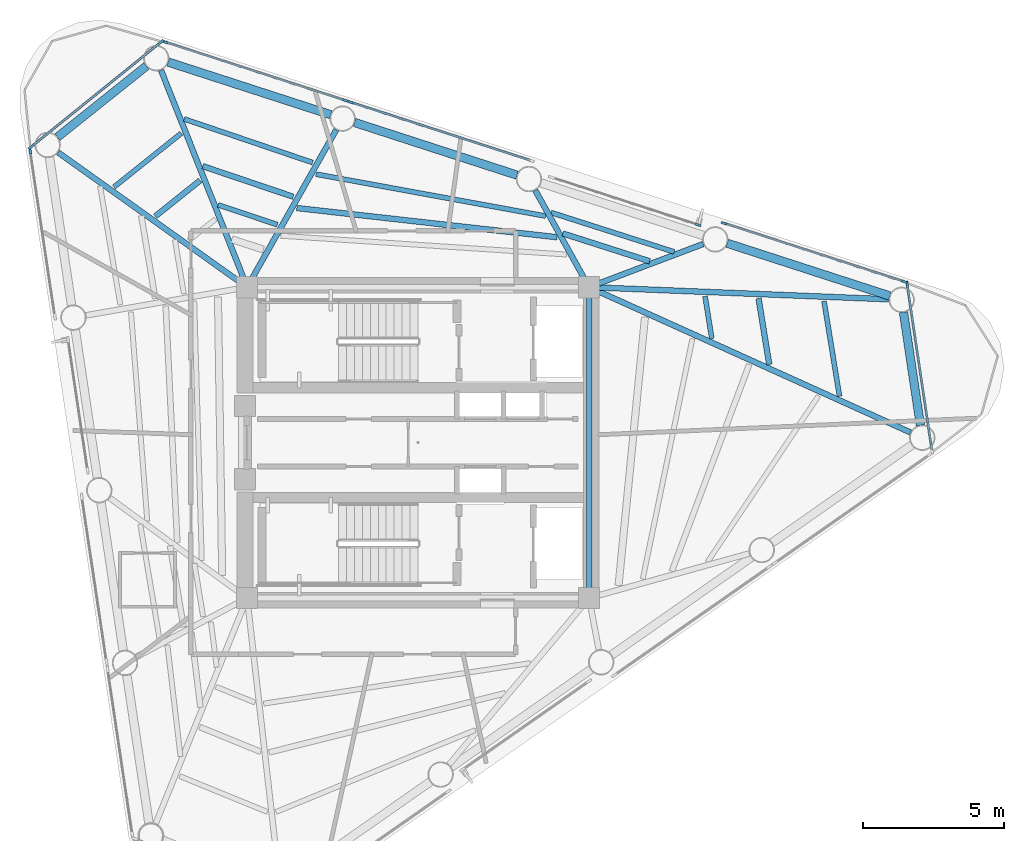
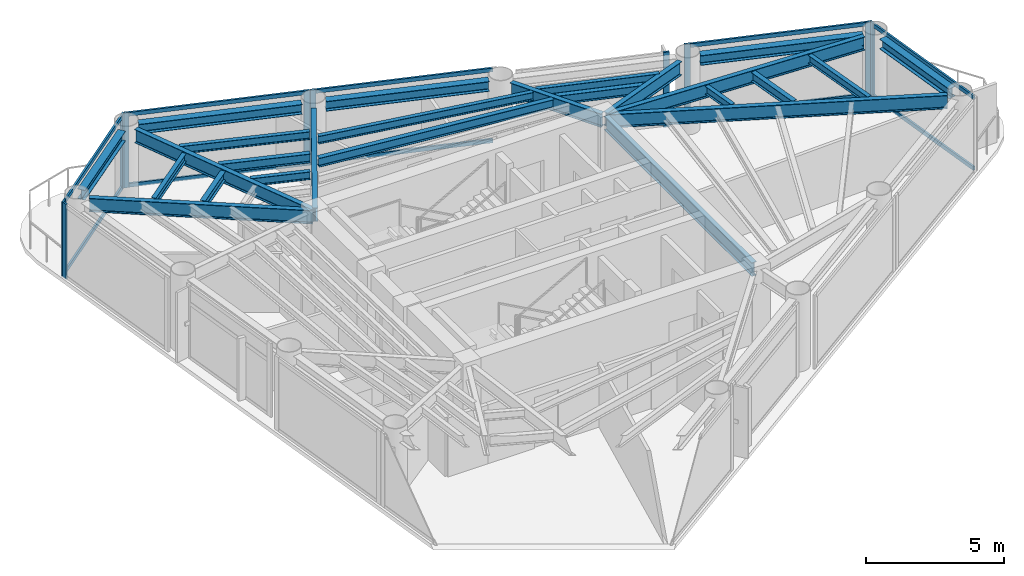
# One storey, part 3 of 9: 25 beams, 20 members, 7 elements without a shape of their own.
"""IFC4 building model written with IfcOpenShell, lengths in metres."""

from ifc_helpers import new_model, si_unit, direction, frame, origin, origin_2d, place, context, subcontext, project, spatial, rectangle, i_section, extrude, source, transform, mapped, material, layer, layer_set, material_profile, profile_set, type_object, element, aggregate, save


model = new_model("IFC4")

# Units and contexts
model_context = context("Model", 3, precision=1e-05, world=origin(), true_north=direction((0.0, 1.0)))
body_context = subcontext(model_context, "Body", "Model", "MODEL_VIEW")
ifc_project = project(units=[si_unit("LENGTHUNIT", "METRE"), si_unit("AREAUNIT", "SQUARE_METRE"), si_unit("VOLUMEUNIT", "CUBIC_METRE"), si_unit("PLANEANGLEUNIT", "RADIAN"), si_unit("MASSUNIT", "GRAM", prefix="KILO")], contexts=[model_context])

# Site, building, storey
site_placement = place(None, origin())
site = spatial("IfcSite", under=ifc_project, at=site_placement, CompositionType="ELEMENT")
building_placement = place(site_placement, origin())
building = spatial("IfcBuilding", under=site, at=building_placement, Name="Yunling Apex Tower", CompositionType="ELEMENT")
storey_placement = place(building_placement, frame((0.0, 0.0, 260.949951171875)))
storey = spatial("IfcBuildingStorey", under=building, at=storey_placement, Name="L63", CompositionType="ELEMENT", Elevation=260.949951171875)

# Beams
ifc_material_1 = material(Name="Steel Q355B", Category="steel")
ifc_material_profile_1 = material_profile(ifc_material_1, i_section(OverallWidth=0.199951171875, OverallDepth=0.60009765625, WebThickness=0.010986328125, FlangeThickness=0.01708984375, FilletRadius=0.02197265625, at=origin_2d()))
ifc_profile_set_1 = profile_set([ifc_material_profile_1], Name="Steel Q355B")
beam_type_1 = type_object("IfcBeamType", Name="BG-PRI-5", PredefinedType="USERDEFINED", material=ifc_profile_set_1)
shared_shape_1 = source(origin(), body_context, "Body", "SweptSolid", [
    extrude(i_section(OverallWidth=0.199951171875, OverallDepth=0.60009765625, WebThickness=0.010986328125, FlangeThickness=0.01708984375, FilletRadius=0.02197265625, at=origin_2d()), origin(), (0.0, 0.0, 1.0), 10.7001953125),
])
beam_1_placement = place(storey_placement, frame((6.050048828125, -5.35009765625, 2.920166015625), z_axis=(0.0, 1.0, 0.0), x_axis=(-1.0, 0.0, 0.0)))
element("IfcBeam", 1, at=beam_1_placement, inside=storey, type_object=beam_type_1, Name="L63 Core Ring Tie Beam 2", ObjectType="GIRDER", PredefinedType="USERDEFINED", context=body_context, shape_type="MappedRepresentation", body=[
    mapped(shared_shape_1, transform((0.0, 0.0, 0.0), scale=1.0)),
])
ifc_material_profile_2 = material_profile(ifc_material_1, i_section(OverallWidth=0.300048828125, OverallDepth=0.43994140625, WebThickness=0.010986328125, FlangeThickness=0.01806640625, FilletRadius=0.02197265625, at=origin_2d()))
ifc_profile_set_2 = profile_set([ifc_material_profile_2], Name="Steel Q355B")
beam_type_2 = type_object("IfcBeamType", Name="BP-SPN-3", PredefinedType="SPANDREL", material=ifc_profile_set_2)
shared_shape_2 = source(origin(), body_context, "Body", "SweptSolid", [
    extrude(i_section(OverallWidth=0.300048828125, OverallDepth=0.43994140625, WebThickness=0.010986328125, FlangeThickness=0.01806640625, FilletRadius=0.02197265625, at=origin_2d()), origin(), (0.0, 0.0, 1.0), 6.043701171875),
])
for number, where, z_axis, x_axis, name in (
    (2, (16.687744140625, 5.189208984375, 3.0), (-0.951260618597, 0.308388124782, 0.0), (-0.308388124782, -0.951260618597, 0.0), "L63 Perimeter Spandrel Beam 6"),
    (3, (3.5, 9.464111328125, 3.0), (-0.951264460229, 0.30837627455, 0.0), (-0.30837627455, -0.951264460229, 0.0), "L63 Perimeter Spandrel Beam 8"),
    (4, (-3.093994140625, 11.601806640625, 3.0), (-0.951276309474, 0.308339720167, 0.0), (-0.308339720167, -0.951276309474, 0.0), "L63 Perimeter Spandrel Beam 9"),
):
    element("IfcBeam", number, at=place(storey_placement, frame(where, z_axis=z_axis, x_axis=x_axis)), inside=storey, type_object=beam_type_2, Name=name, PredefinedType="SPANDREL", context=body_context, shape_type="MappedRepresentation", body=[
        mapped(shared_shape_2, transform((0.0, 0.0, 0.0), scale=1.0)),
    ])
shared_shape_3 = source(origin(), body_context, "Body", "SweptSolid", [
    extrude(i_section(OverallWidth=0.300048828125, OverallDepth=0.43994140625, WebThickness=0.010986328125, FlangeThickness=0.01806640625, FilletRadius=0.02197265625, at=origin_2d()), origin(), (0.0, 0.0, 1.0), 4.047607421875),
])
beam_2_placement = place(storey_placement, frame((17.774169921875, 0.610107421875, 3.0), z_axis=(-0.147836074483, 0.98901187813, 0.0), x_axis=(-0.98901187813, -0.147836074483, 0.0)))
element("IfcBeam", 5, at=beam_2_placement, inside=storey, type_object=beam_type_2, Name="L63 Perimeter Spandrel Beam 5", PredefinedType="SPANDREL", context=body_context, shape_type="MappedRepresentation", body=[
    mapped(shared_shape_3, transform((0.0, 0.0, 0.0), scale=1.0)),
])
shared_shape_4 = source(origin(), body_context, "Body", "SweptSolid", [
    extrude(i_section(OverallWidth=0.300048828125, OverallDepth=0.43994140625, WebThickness=0.010986328125, FlangeThickness=0.01806640625, FilletRadius=0.02197265625, at=origin_2d()), origin(), (0.0, 0.0, 1.0), 4.03125),
])
beam_3_placement = place(storey_placement, frame((-9.612548828125, 13.3251953125, 3.0), z_axis=(-0.781412081213, -0.624015351842, 0.0), x_axis=(0.624015351842, -0.781412081213, 0.0)))
element("IfcBeam", 6, at=beam_3_placement, inside=storey, type_object=beam_type_2, Name="L63 Perimeter Spandrel Beam 10", PredefinedType="SPANDREL", context=body_context, shape_type="MappedRepresentation", body=[
    mapped(shared_shape_4, transform((0.0, 0.0, 0.0), scale=1.0)),
])
shared_shape_5 = source(origin(), body_context, "Body", "SweptSolid", [
    extrude(i_section(OverallWidth=0.199951171875, OverallDepth=0.60009765625, WebThickness=0.010986328125, FlangeThickness=0.01708984375, FilletRadius=0.02197265625, at=origin_2d()), origin(), (0.0, 0.0, 1.0), 12.400146484375),
])
beam_4_placement = place(storey_placement, frame((17.42236328125, 0.359619140625, 2.920166015625), z_axis=(-0.911237617223, 0.411881056809, 0.0), x_axis=(-0.411881056809, -0.911237617223, 0.0)))
element("IfcBeam", 7, at=beam_4_placement, inside=storey, type_object=beam_type_1, Name="L63 Radial Primary Girder R05", ObjectType="GIRDER", PredefinedType="USERDEFINED", context=body_context, shape_type="MappedRepresentation", body=[
    mapped(shared_shape_5, transform((0.0, 0.0, 0.0), scale=1.0)),
])
shared_shape_6 = source(origin(), body_context, "Body", "SweptSolid", [
    extrude(i_section(OverallWidth=0.199951171875, OverallDepth=0.60009765625, WebThickness=0.010986328125, FlangeThickness=0.01708984375, FilletRadius=0.02197265625, at=origin_2d()), origin(), (0.0, 0.0, 1.0), 10.53125),
])
beam_5_placement = place(storey_placement, frame((16.652587890625, 5.07080078125, 2.920166015625), z_axis=(-0.99918143594, 0.040453158992, 0.0), x_axis=(-0.040453158992, -0.99918143594, 0.0)))
element("IfcBeam", 8, at=beam_5_placement, inside=storey, type_object=beam_type_1, Name="L63 Radial Primary Girder R06", ObjectType="GIRDER", PredefinedType="USERDEFINED", context=body_context, shape_type="MappedRepresentation", body=[
    mapped(shared_shape_6, transform((0.0, 0.0, 0.0), scale=1.0)),
])
shared_shape_7 = source(origin(), body_context, "Body", "SweptSolid", [
    extrude(i_section(OverallWidth=0.199951171875, OverallDepth=0.60009765625, WebThickness=0.010986328125, FlangeThickness=0.01708984375, FilletRadius=0.02197265625, at=origin_2d()), origin(), (0.0, 0.0, 1.0), 4.2373046875),
])
beam_6_placement = place(storey_placement, frame((10.087890625, 7.02783203125, 2.920166015625), z_axis=(-0.935290380754, -0.353881199938, 0.0), x_axis=(0.353881199938, -0.935290380754, 0.0)))
element("IfcBeam", 9, at=beam_6_placement, inside=storey, type_object=beam_type_1, Name="L63 Radial Primary Girder R07", ObjectType="GIRDER", PredefinedType="USERDEFINED", context=body_context, shape_type="MappedRepresentation", body=[
    mapped(shared_shape_7, transform((0.0, 0.0, 0.0), scale=1.0)),
])
shared_shape_8 = source(origin(), body_context, "Body", "SweptSolid", [
    extrude(i_section(OverallWidth=0.199951171875, OverallDepth=0.60009765625, WebThickness=0.010986328125, FlangeThickness=0.01708984375, FilletRadius=0.02197265625, at=origin_2d()), origin(), (0.0, 0.0, 1.0), 3.841064453125),
])
beam_7_placement = place(storey_placement, frame((4.144775390625, 8.927001953125, 2.920166015625), z_axis=(0.485864181632, -0.874034322557, 0.0), x_axis=(0.874034322557, 0.485864181632, 0.0)))
element("IfcBeam", 10, at=beam_7_placement, inside=storey, type_object=beam_type_1, Name="L63 Radial Primary Girder R08", ObjectType="GIRDER", PredefinedType="USERDEFINED", context=body_context, shape_type="MappedRepresentation", body=[
    mapped(shared_shape_8, transform((0.0, 0.0, 0.0), scale=1.0)),
])
shared_shape_9 = source(origin(), body_context, "Body", "SweptSolid", [
    extrude(i_section(OverallWidth=0.199951171875, OverallDepth=0.60009765625, WebThickness=0.010986328125, FlangeThickness=0.01708984375, FilletRadius=0.02197265625, at=origin_2d()), origin(), (0.0, 0.0, 1.0), 6.317138671875),
])
beam_8_placement = place(storey_placement, frame((-2.8974609375, 11.06640625, 2.920166015625), z_axis=(-0.492793153417, -0.870146486487, 0.0), x_axis=(0.870146486487, -0.492793153417, 0.0)))
element("IfcBeam", 11, at=beam_8_placement, inside=storey, type_object=beam_type_1, Name="L63 Radial Primary Girder R09", ObjectType="GIRDER", PredefinedType="USERDEFINED", context=body_context, shape_type="MappedRepresentation", body=[
    mapped(shared_shape_9, transform((0.0, 0.0, 0.0), scale=1.0)),
])
shared_shape_10 = source(origin(), body_context, "Body", "SweptSolid", [
    extrude(i_section(OverallWidth=0.199951171875, OverallDepth=0.60009765625, WebThickness=0.010986328125, FlangeThickness=0.01708984375, FilletRadius=0.02197265625, at=origin_2d()), origin(), (0.0, 0.0, 1.0), 8.178955078125),
])
beam_9_placement = place(storey_placement, frame((-9.0966796875, 13.176513671875, 2.920166015625), z_axis=(0.368888092437, -0.929473816338, 0.0), x_axis=(0.929473816338, 0.368888092437, 0.0)))
element("IfcBeam", 12, at=beam_9_placement, inside=storey, type_object=beam_type_1, Name="L63 Radial Primary Girder R10", ObjectType="GIRDER", PredefinedType="USERDEFINED", context=body_context, shape_type="MappedRepresentation", body=[
    mapped(shared_shape_10, transform((0.0, 0.0, 0.0), scale=1.0)),
])
shared_shape_11 = source(origin(), body_context, "Body", "SweptSolid", [
    extrude(i_section(OverallWidth=0.199951171875, OverallDepth=0.60009765625, WebThickness=0.010986328125, FlangeThickness=0.01708984375, FilletRadius=0.02197265625, at=origin_2d()), origin(), (0.0, 0.0, 1.0), 8.132080078125),
])
beam_10_placement = place(storey_placement, frame((-12.73681640625, 10.2666015625, 2.920166015625), z_axis=(0.814294994921, -0.580451256564, 0.0), x_axis=(0.580451256564, 0.814294994921, 0.0)))
element("IfcBeam", 13, at=beam_10_placement, inside=storey, type_object=beam_type_1, Name="L63 Radial Primary Girder R11", ObjectType="GIRDER", PredefinedType="USERDEFINED", context=body_context, shape_type="MappedRepresentation", body=[
    mapped(shared_shape_11, transform((0.0, 0.0, 0.0), scale=1.0)),
])
ifc_material_profile_3 = material_profile(ifc_material_1, i_section(OverallWidth=0.199951171875, OverallDepth=0.39990234375, WebThickness=0.008056640625, FlangeThickness=0.012939453125, FilletRadius=0.01611328125, at=origin_2d()))
ifc_profile_set_3 = profile_set([ifc_material_profile_3], Name="Steel Q355B")
beam_type_3 = type_object("IfcBeamType", Name="BS-SEC-4", PredefinedType="BEAM", material=ifc_profile_set_3)
shared_shape_12 = source(origin(), body_context, "Body", "SweptSolid", [
    extrude(i_section(OverallWidth=0.199951171875, OverallDepth=0.39990234375, WebThickness=0.008056640625, FlangeThickness=0.012939453125, FilletRadius=0.01611328125, at=origin_2d()), origin(), (0.0, 0.0, 1.0), 2.36572265625),
])
beam_11_placement = place(storey_placement, frame((12.425048828125, 2.764892578125, 3.02001953125), z_axis=(-0.159342756426, 0.987223321227, 0.0), x_axis=(-0.987223321227, -0.159342756426, 0.0)))
element("IfcBeam", 14, at=beam_11_placement, inside=storey, type_object=beam_type_3, Name="L63 Composite Floor Beam BS-5", PredefinedType="BEAM", context=body_context, shape_type="MappedRepresentation", body=[
    mapped(shared_shape_12, transform((0.0, 0.0, 0.0), scale=1.0)),
])
ifc_material_profile_4 = material_profile(ifc_material_1, i_section(OverallWidth=0.175048828125, OverallDepth=0.35009765625, WebThickness=0.007080078125, FlangeThickness=0.010986328125, FilletRadius=0.013916015625, at=origin_2d()))
ifc_profile_set_4 = profile_set([ifc_material_profile_4], Name="Steel Q355B")
beam_type_4 = type_object("IfcBeamType", Name="BJ-JST-1", PredefinedType="JOIST", material=ifc_profile_set_4)
shared_shape_13 = source(origin(), body_context, "Body", "SweptSolid", [
    extrude(i_section(OverallWidth=0.175048828125, OverallDepth=0.35009765625, WebThickness=0.007080078125, FlangeThickness=0.010986328125, FilletRadius=0.013916015625, at=origin_2d()), origin(), (0.0, 0.0, 1.0), 3.40966796875),
])
beam_12_placement = place(storey_placement, frame((14.910888671875, 1.64111328125, 3.045166015625), z_axis=(-0.160600982695, 0.987019414377, 0.0), x_axis=(-0.987019414377, -0.160600982695, 0.0)))
element("IfcBeam", 15, at=beam_12_placement, inside=storey, type_object=beam_type_4, Name="L63 Composite Floor Joist BJ1-5", PredefinedType="JOIST", context=body_context, shape_type="MappedRepresentation", body=[
    mapped(shared_shape_13, transform((0.0, 0.0, 0.0), scale=1.0)),
])
shared_shape_14 = source(origin(), body_context, "Body", "SweptSolid", [
    extrude(i_section(OverallWidth=0.175048828125, OverallDepth=0.35009765625, WebThickness=0.007080078125, FlangeThickness=0.010986328125, FilletRadius=0.013916015625, at=origin_2d()), origin(), (0.0, 0.0, 1.0), 1.51171875),
])
beam_13_placement = place(storey_placement, frame((10.3916015625, 3.68408203125, 3.045166015625), z_axis=(-0.157297614413, 0.987551244493, 0.0), x_axis=(-0.987551244493, -0.157297614413, 0.0)))
element("IfcBeam", 16, at=beam_13_placement, inside=storey, type_object=beam_type_4, Name="L63 Composite Floor Joist BJ3-5", PredefinedType="JOIST", context=body_context, shape_type="MappedRepresentation", body=[
    mapped(shared_shape_14, transform((0.0, 0.0, 0.0), scale=1.0)),
])
shared_shape_15 = source(origin(), body_context, "Body", "SweptSolid", [
    extrude(i_section(OverallWidth=0.199951171875, OverallDepth=0.39990234375, WebThickness=0.008056640625, FlangeThickness=0.012939453125, FilletRadius=0.01611328125, at=origin_2d()), origin(), (0.0, 0.0, 1.0), 3.22705078125),
])
beam_14_placement = place(storey_placement, frame((8.191650390625, 6.416748046875, 3.02001953125), z_axis=(-0.952339781695, 0.305039243708, 0.0), x_axis=(-0.305039243708, -0.952339781695, 0.0)))
element("IfcBeam", 17, at=beam_14_placement, inside=storey, type_object=beam_type_3, Name="L63 Composite Floor Beam BS-7", PredefinedType="BEAM", context=body_context, shape_type="MappedRepresentation", body=[
    mapped(shared_shape_15, transform((0.0, 0.0, 0.0), scale=1.0)),
])
shared_shape_16 = source(origin(), body_context, "Body", "SweptSolid", [
    extrude(i_section(OverallWidth=0.175048828125, OverallDepth=0.35009765625, WebThickness=0.007080078125, FlangeThickness=0.010986328125, FilletRadius=0.013916015625, at=origin_2d()), origin(), (0.0, 0.0, 1.0), 4.572998046875),
])
beam_15_placement = place(storey_placement, frame((9.0634765625, 6.74658203125, 3.045166015625), z_axis=(-0.952472485452, 0.304624628776, 0.0), x_axis=(-0.304624628776, -0.952472485452, 0.0)))
element("IfcBeam", 18, at=beam_15_placement, inside=storey, type_object=beam_type_4, Name="L63 Composite Floor Joist BJ1-7", PredefinedType="JOIST", context=body_context, shape_type="MappedRepresentation", body=[
    mapped(shared_shape_16, transform((0.0, 0.0, 0.0), scale=1.0)),
])
shared_shape_17 = source(origin(), body_context, "Body", "SweptSolid", [
    extrude(i_section(OverallWidth=0.199951171875, OverallDepth=0.39990234375, WebThickness=0.008056640625, FlangeThickness=0.012939453125, FilletRadius=0.01611328125, at=origin_2d()), origin(), (0.0, 0.0, 1.0), 9.271728515625),
])
beam_16_placement = place(storey_placement, frame((4.9189453125, 7.266357421875, 3.02001953125), z_axis=(-0.993765641634, 0.111489234941, 0.0), x_axis=(-0.111489234941, -0.993765641634, 0.0)))
element("IfcBeam", 19, at=beam_16_placement, inside=storey, type_object=beam_type_3, Name="L63 Composite Floor Beam BS-8", PredefinedType="BEAM", context=body_context, shape_type="MappedRepresentation", body=[
    mapped(shared_shape_17, transform((0.0, 0.0, 0.0), scale=1.0)),
])
shared_shape_18 = source(origin(), body_context, "Body", "SweptSolid", [
    extrude(i_section(OverallWidth=0.175048828125, OverallDepth=0.35009765625, WebThickness=0.007080078125, FlangeThickness=0.010986328125, FilletRadius=0.013916015625, at=origin_2d()), origin(), (0.0, 0.0, 1.0), 8.256103515625),
])
beam_17_placement = place(storey_placement, frame((4.510009765625, 8.015625, 3.045166015625), z_axis=(-0.983737162393, 0.179614017626, 0.0), x_axis=(-0.179614017626, -0.983737162393, 0.0)))
element("IfcBeam", 20, at=beam_17_placement, inside=storey, type_object=beam_type_4, Name="L63 Composite Floor Joist BJ1-8", PredefinedType="JOIST", context=body_context, shape_type="MappedRepresentation", body=[
    mapped(shared_shape_18, transform((0.0, 0.0, 0.0), scale=1.0)),
])
shared_shape_19 = source(origin(), body_context, "Body", "SweptSolid", [
    extrude(i_section(OverallWidth=0.199951171875, OverallDepth=0.39990234375, WebThickness=0.008056640625, FlangeThickness=0.012939453125, FilletRadius=0.01611328125, at=origin_2d()), origin(), (0.0, 0.0, 1.0), 3.37646484375),
])
beam_18_placement = place(storey_placement, frame((-4.418701171875, 8.698974609375, 3.02001953125), z_axis=(-0.947337172377, 0.320237851966, 0.0), x_axis=(-0.320237851966, -0.947337172377, 0.0)))
element("IfcBeam", 21, at=beam_18_placement, inside=storey, type_object=beam_type_3, Name="L63 Composite Floor Beam BS-9", PredefinedType="BEAM", context=body_context, shape_type="MappedRepresentation", body=[
    mapped(shared_shape_19, transform((0.0, 0.0, 0.0), scale=1.0)),
])
shared_shape_20 = source(origin(), body_context, "Body", "SweptSolid", [
    extrude(i_section(OverallWidth=0.175048828125, OverallDepth=0.35009765625, WebThickness=0.007080078125, FlangeThickness=0.010986328125, FilletRadius=0.013916015625, at=origin_2d()), origin(), (0.0, 0.0, 1.0), 4.802490234375),
])
beam_19_placement = place(storey_placement, frame((-3.73388671875, 9.908447265625, 3.045166015625), z_axis=(-0.946894147211, 0.32154544621, 0.0), x_axis=(-0.32154544621, -0.946894147211, 0.0)))
element("IfcBeam", 22, at=beam_19_placement, inside=storey, type_object=beam_type_4, Name="L63 Composite Floor Joist BJ1-9", PredefinedType="JOIST", context=body_context, shape_type="MappedRepresentation", body=[
    mapped(shared_shape_20, transform((0.0, 0.0, 0.0), scale=1.0)),
])
shared_shape_21 = source(origin(), body_context, "Body", "SweptSolid", [
    extrude(i_section(OverallWidth=0.175048828125, OverallDepth=0.35009765625, WebThickness=0.007080078125, FlangeThickness=0.010986328125, FilletRadius=0.013916015625, at=origin_2d()), origin(), (0.0, 0.0, 1.0), 2.209716796875),
])
beam_20_placement = place(storey_placement, frame((-4.979248046875, 7.709228515625, 3.045166015625), z_axis=(-0.948029450248, 0.318182591389, 0.0), x_axis=(-0.318182591389, -0.948029450248, 0.0)))
element("IfcBeam", 23, at=beam_20_placement, inside=storey, type_object=beam_type_4, Name="L63 Composite Floor Joist BJ3-9", PredefinedType="JOIST", context=body_context, shape_type="MappedRepresentation", body=[
    mapped(shared_shape_21, transform((0.0, 0.0, 0.0), scale=1.0)),
])
shared_shape_22 = source(origin(), body_context, "Body", "SweptSolid", [
    extrude(i_section(OverallWidth=0.199951171875, OverallDepth=0.39990234375, WebThickness=0.008056640625, FlangeThickness=0.012939453125, FilletRadius=0.01611328125, at=origin_2d()), origin(), (0.0, 0.0, 1.0), 2.032958984375),
])
beam_21_placement = place(storey_placement, frame((-7.712890625, 9.275634765625, 3.02001953125), z_axis=(-0.781161617118, -0.624328862013, 0.0), x_axis=(0.624328862013, -0.781161617118, 0.0)))
element("IfcBeam", 24, at=beam_21_placement, inside=storey, type_object=beam_type_3, Name="L63 Composite Floor Beam BS-10", PredefinedType="BEAM", context=body_context, shape_type="MappedRepresentation", body=[
    mapped(shared_shape_22, transform((0.0, 0.0, 0.0), scale=1.0)),
])
shared_shape_23 = source(origin(), body_context, "Body", "SweptSolid", [
    extrude(i_section(OverallWidth=0.175048828125, OverallDepth=0.35009765625, WebThickness=0.007080078125, FlangeThickness=0.010986328125, FilletRadius=0.013916015625, at=origin_2d()), origin(), (0.0, 0.0, 1.0), 3.048095703125),
])
beam_22_placement = place(storey_placement, frame((-8.376708984375, 10.947998046875, 3.045166015625), z_axis=(-0.78115784601, -0.624333580401, 0.0), x_axis=(0.624333580401, -0.78115784601, 0.0)))
element("IfcBeam", 25, at=beam_22_placement, inside=storey, type_object=beam_type_4, Name="L63 Composite Floor Joist BJ1-10", PredefinedType="JOIST", context=body_context, shape_type="MappedRepresentation", body=[
    mapped(shared_shape_23, transform((0.0, 0.0, 0.0), scale=1.0)),
])

# Curtain wall, member
ifc_material_2 = material(Name="Bronze anodised aluminium", Category="aluminium")
ifc_layer = layer(ifc_material_2, 0.219970703125)
ifc_layer_set = layer_set([ifc_layer], Name="Bronze anodised aluminium")
curtain_wall_type = type_object("IfcCurtainWallType", Name="CW-SYS-4", PredefinedType="NOTDEFINED", material=ifc_layer_set)
curtain_wall_1_placement = place(storey_placement, origin())
curtain_wall_1 = element("IfcCurtainWall", 26, at=curtain_wall_1_placement, inside=storey, type_object=curtain_wall_type, Name="CW-L63-CRN1", PredefinedType="NOTDEFINED")
ifc_material_profile_5 = material_profile(ifc_material_2, rectangle(XDim=0.080078125, YDim=0.219970703125, at=origin_2d()))
ifc_profile_set_5 = profile_set([ifc_material_profile_5], Name="Bronze anodised aluminium")
member_type_1 = type_object("IfcMemberType", Name="CW-MUL-4", PredefinedType="MULLION", material=ifc_profile_set_5)
shared_shape_24 = source(origin(), body_context, "Body", "SweptSolid", [
    extrude(rectangle(XDim=0.080078125, YDim=0.219970703125, at=origin_2d()), origin(), (0.0, 0.0, 1.0), 3.320068359375),
])
member_1_placement = place(storey_placement, frame((17.307373046875, 5.6025390625, -0.050048828125), z_axis=(0.0, 0.0, 1.0), x_axis=(-0.989016885218, -0.147802573571, 0.0)))
member_1 = element("IfcMember", 27, at=member_1_placement, type_object=member_type_1, Name="CW-SYS-4 mullion 2", PredefinedType="MULLION", context=body_context, shape_type="MappedRepresentation", body=[
    mapped(shared_shape_24, transform((0.0, 0.0, 0.0), scale=1.0)),
])

# Curtain wall, members
curtain_wall_2_placement = place(storey_placement, origin())
curtain_wall_2 = element("IfcCurtainWall", 28, at=curtain_wall_2_placement, inside=storey, type_object=curtain_wall_type, Name="CW-L63-F2-B1", PredefinedType="NOTDEFINED")
member_2_placement = place(storey_placement, frame((17.193359375, 5.6982421875, -0.050048828125), z_axis=(0.0, 0.0, 1.0), x_axis=(-0.308353381834, -0.951271881173, 0.0)))
member_2 = element("IfcMember", 29, at=member_2_placement, type_object=member_type_1, Name="CW-SYS-4 mullion 1", PredefinedType="MULLION", context=body_context, shape_type="MappedRepresentation", body=[
    mapped(shared_shape_24, transform((0.0, 0.0, 0.0), scale=1.0)),
])
member_3_placement = place(storey_placement, frame((10.82763671875, 7.76171875, -0.050048828125), z_axis=(0.0, 0.0, 1.0), x_axis=(-0.308353381834, -0.951271881173, 0.0)))
member_3 = element("IfcMember", 30, at=member_3_placement, type_object=member_type_1, Name="CW-SYS-4 mullion 2", PredefinedType="MULLION", context=body_context, shape_type="MappedRepresentation", body=[
    mapped(shared_shape_24, transform((0.0, 0.0, 0.0), scale=1.0)),
])

# Curtain wall, member
curtain_wall_3_placement = place(storey_placement, origin())
curtain_wall_3 = element("IfcCurtainWall", 31, at=curtain_wall_3_placement, inside=storey, type_object=curtain_wall_type, Name="CW-L63-F2-B2", PredefinedType="NOTDEFINED")
member_4_placement = place(storey_placement, frame((9.90478515625, 7.703369140625, -0.050048828125), z_axis=(0.0, 0.0, 1.0), x_axis=(-0.30836941685, -0.951266683297, 0.0)))
member_4 = element("IfcMember", 32, at=member_4_placement, type_object=member_type_1, Name="CW-SYS-4 mullion 1", PredefinedType="MULLION", context=body_context, shape_type="MappedRepresentation", body=[
    mapped(shared_shape_24, transform((0.0, 0.0, 0.0), scale=1.0)),
])
aggregate(curtain_wall_3, [member_4])

curtain_wall_4_placement = place(storey_placement, origin())
curtain_wall_4 = element("IfcCurtainWall", 33, at=curtain_wall_4_placement, inside=storey, type_object=curtain_wall_type, Name="CW-L63-F2-B3", PredefinedType="NOTDEFINED")
member_5_placement = place(storey_placement, frame((-2.360107421875, 12.03662109375, -0.050048828125), z_axis=(0.0, 0.0, 1.0), x_axis=(-0.308371076658, -0.95126614524, 0.0)))
member_5 = element("IfcMember", 34, at=member_5_placement, type_object=member_type_1, Name="CW-SYS-4 mullion 2", PredefinedType="MULLION", context=body_context, shape_type="MappedRepresentation", body=[
    mapped(shared_shape_24, transform((0.0, 0.0, 0.0), scale=1.0)),
])

# Curtain wall, members
curtain_wall_5_placement = place(storey_placement, origin())
curtain_wall_5 = element("IfcCurtainWall", 35, at=curtain_wall_5_placement, inside=storey, type_object=curtain_wall_type, Name="CW-L63-F2-B4", PredefinedType="NOTDEFINED")
member_6_placement = place(storey_placement, frame((-2.58837890625, 12.110595703125, -0.050048828125), z_axis=(0.0, 0.0, 1.0), x_axis=(-0.308353381834, -0.951271881173, 0.0)))
member_6 = element("IfcMember", 36, at=member_6_placement, type_object=member_type_1, Name="CW-SYS-4 mullion 1", PredefinedType="MULLION", context=body_context, shape_type="MappedRepresentation", body=[
    mapped(shared_shape_24, transform((0.0, 0.0, 0.0), scale=1.0)),
])
member_7_placement = place(storey_placement, frame((-8.9541015625, 14.174072265625, -0.050048828125), z_axis=(0.0, 0.0, 1.0), x_axis=(-0.308353381834, -0.951271881173, 0.0)))
member_7 = element("IfcMember", 37, at=member_7_placement, type_object=member_type_1, Name="CW-SYS-4 mullion 2", PredefinedType="MULLION", context=body_context, shape_type="MappedRepresentation", body=[
    mapped(shared_shape_24, transform((0.0, 0.0, 0.0), scale=1.0)),
])

curtain_wall_6_placement = place(storey_placement, origin())
curtain_wall_6 = element("IfcCurtainWall", 38, at=curtain_wall_6_placement, inside=storey, type_object=curtain_wall_type, Name="CW-L63-CRN2", PredefinedType="NOTDEFINED")
member_8_placement = place(storey_placement, frame((-9.10546875, 14.1669921875, -0.050048828125), z_axis=(0.0, 0.0, 1.0), x_axis=(0.627988675266, -0.778222477019, 0.0)))
member_8 = element("IfcMember", 39, at=member_8_placement, type_object=member_type_1, Name="CW-SYS-4 mullion 1", PredefinedType="MULLION", context=body_context, shape_type="MappedRepresentation", body=[
    mapped(shared_shape_24, transform((0.0, 0.0, 0.0), scale=1.0)),
])
member_9_placement = place(storey_placement, frame((-13.69189453125, 10.4658203125, -0.050048828125), z_axis=(0.0, 0.0, 1.0), x_axis=(0.627988675266, -0.778222477019, 0.0)))
member_9 = element("IfcMember", 40, at=member_9_placement, type_object=member_type_1, Name="CW-SYS-4 mullion 2", PredefinedType="MULLION", context=body_context, shape_type="MappedRepresentation", body=[
    mapped(shared_shape_24, transform((0.0, 0.0, 0.0), scale=1.0)),
])

# Curtain wall, member
curtain_wall_7_placement = place(storey_placement, origin())
curtain_wall_7 = element("IfcCurtainWall", 41, at=curtain_wall_7_placement, inside=storey, type_object=curtain_wall_type, Name="CW-L63-F3-B1", PredefinedType="NOTDEFINED")
member_10_placement = place(storey_placement, frame((-13.72509765625, 10.3193359375, -0.050048828125), z_axis=(0.0, 0.0, 1.0), x_axis=(0.989016174309, 0.147807330522, 0.0)))
member_10 = element("IfcMember", 42, at=member_10_placement, type_object=member_type_1, Name="CW-SYS-4 mullion 1", PredefinedType="MULLION", context=body_context, shape_type="MappedRepresentation", body=[
    mapped(shared_shape_24, transform((0.0, 0.0, 0.0), scale=1.0)),
])
aggregate(curtain_wall_7, [member_10])

# Member
ifc_material_profile_6 = material_profile(ifc_material_2, rectangle(XDim=0.080078125, YDim=0.169921875, at=origin_2d()))
ifc_profile_set_6 = profile_set([ifc_material_profile_6], Name="Bronze anodised aluminium")
member_type_2 = type_object("IfcMemberType", Name="CW-TRN-4", PredefinedType="USERDEFINED", material=ifc_profile_set_6)
shared_shape_25 = source(origin(), body_context, "Body", "SweptSolid", [
    extrude(rectangle(XDim=0.080078125, YDim=0.169921875, at=origin_2d()), origin(), (0.0, 0.0, 1.0), 6.61962890625),
])
member_11_placement = place(storey_placement, frame((-2.622802734375, 12.121826171875, 0.0400390625), z_axis=(-0.951269317575, 0.308361290437, 0.0), x_axis=(-0.308361290437, -0.951269317575, 0.0)))
member_11 = element("IfcMember", 43, at=member_11_placement, type_object=member_type_2, Name="CW-SYS-4 transom 1.1", ObjectType="TRANSOM", PredefinedType="USERDEFINED", context=body_context, shape_type="MappedRepresentation", body=[
    mapped(shared_shape_25, transform((0.0, 0.0, 0.0), scale=1.0)),
])

member_12_placement = place(storey_placement, frame((-2.622802734375, 12.121826171875, 3.179931640625), z_axis=(-0.951269317575, 0.308361290437, 0.0), x_axis=(-0.308361290437, -0.951269317575, 0.0)))
member_12 = element("IfcMember", 44, at=member_12_placement, type_object=member_type_2, Name="CW-SYS-4 transom 1.2", ObjectType="TRANSOM", PredefinedType="USERDEFINED", context=body_context, shape_type="MappedRepresentation", body=[
    mapped(shared_shape_25, transform((0.0, 0.0, 0.0), scale=1.0)),
])

aggregate(curtain_wall_5, [member_6, member_7, member_11, member_12])

shared_shape_26 = source(origin(), body_context, "Body", "SweptSolid", [
    extrude(rectangle(XDim=0.080078125, YDim=0.169921875, at=origin_2d()), origin(), (0.0, 0.0, 1.0), 6.619873046875),
])
member_13_placement = place(storey_placement, frame((17.1591796875, 5.709228515625, 0.0400390625), z_axis=(-0.951272824274, 0.308350472348, 0.0), x_axis=(-0.308350472348, -0.951272824274, 0.0)))
member_13 = element("IfcMember", 45, at=member_13_placement, type_object=member_type_2, Name="CW-SYS-4 transom 1.1", ObjectType="TRANSOM", PredefinedType="USERDEFINED", context=body_context, shape_type="MappedRepresentation", body=[
    mapped(shared_shape_26, transform((0.0, 0.0, 0.0), scale=1.0)),
])

member_14_placement = place(storey_placement, frame((17.1591796875, 5.709228515625, 3.179931640625), z_axis=(-0.951272824274, 0.308350472348, 0.0), x_axis=(-0.308350472348, -0.951272824274, 0.0)))
member_14 = element("IfcMember", 46, at=member_14_placement, type_object=member_type_2, Name="CW-SYS-4 transom 1.2", ObjectType="TRANSOM", PredefinedType="USERDEFINED", context=body_context, shape_type="MappedRepresentation", body=[
    mapped(shared_shape_26, transform((0.0, 0.0, 0.0), scale=1.0)),
])

aggregate(curtain_wall_2, [member_2, member_3, member_13, member_14])

member_15_placement = place(storey_placement, frame((3.97119140625, 9.984130859375, 0.0400390625), z_axis=(-0.951258498664, 0.308394663895, 0.0), x_axis=(-0.308394663895, -0.951258498664, 0.0)))
member_15 = element("IfcMember", 47, at=member_15_placement, type_object=member_type_2, Name="CW-SYS-4 transom 1.1", ObjectType="TRANSOM", PredefinedType="USERDEFINED", context=body_context, shape_type="MappedRepresentation", body=[
    mapped(shared_shape_26, transform((0.0, 0.0, 0.0), scale=1.0)),
])

member_16_placement = place(storey_placement, frame((3.97119140625, 9.984130859375, 3.179931640625), z_axis=(-0.951258498664, 0.308394663895, 0.0), x_axis=(-0.308394663895, -0.951258498664, 0.0)))
member_16 = element("IfcMember", 48, at=member_16_placement, type_object=member_type_2, Name="CW-SYS-4 transom 1.2", ObjectType="TRANSOM", PredefinedType="USERDEFINED", context=body_context, shape_type="MappedRepresentation", body=[
    mapped(shared_shape_26, transform((0.0, 0.0, 0.0), scale=1.0)),
])

aggregate(curtain_wall_4, [member_5, member_15, member_16])

shared_shape_27 = source(origin(), body_context, "Body", "SweptSolid", [
    extrude(rectangle(XDim=0.080078125, YDim=0.169921875, at=origin_2d()), origin(), (0.0, 0.0, 1.0), 5.89404296875),
])
member_17_placement = place(storey_placement, frame((18.183837890625, -0.26220703125, 0.0400390625), z_axis=(-0.147791520702, 0.989018536939, 0.0), x_axis=(-0.989018536939, -0.147791520702, 0.0)))
member_17 = element("IfcMember", 49, at=member_17_placement, type_object=member_type_2, Name="CW-SYS-4 transom 1.1", ObjectType="TRANSOM", PredefinedType="USERDEFINED", context=body_context, shape_type="MappedRepresentation", body=[
    mapped(shared_shape_27, transform((0.0, 0.0, 0.0), scale=1.0)),
])

member_18_placement = place(storey_placement, frame((18.183837890625, -0.26220703125, 3.179931640625), z_axis=(-0.147791520702, 0.989018536939, 0.0), x_axis=(-0.989018536939, -0.147791520702, 0.0)))
member_18 = element("IfcMember", 50, at=member_18_placement, type_object=member_type_2, Name="CW-SYS-4 transom 1.2", ObjectType="TRANSOM", PredefinedType="USERDEFINED", context=body_context, shape_type="MappedRepresentation", body=[
    mapped(shared_shape_27, transform((0.0, 0.0, 0.0), scale=1.0)),
])

aggregate(curtain_wall_1, [member_1, member_17, member_18])

shared_shape_28 = source(origin(), body_context, "Body", "SweptSolid", [
    extrude(rectangle(XDim=0.080078125, YDim=0.169921875, at=origin_2d()), origin(), (0.0, 0.0, 1.0), 5.8212890625),
])
member_19_placement = place(storey_placement, frame((-9.133544921875, 14.144287109375, 0.0400390625), z_axis=(-0.778218644613, -0.627993424469, 0.0), x_axis=(0.627993424469, -0.778218644613, 0.0)))
member_19 = element("IfcMember", 51, at=member_19_placement, type_object=member_type_2, Name="CW-SYS-4 transom 1.1", ObjectType="TRANSOM", PredefinedType="USERDEFINED", context=body_context, shape_type="MappedRepresentation", body=[
    mapped(shared_shape_28, transform((0.0, 0.0, 0.0), scale=1.0)),
])

member_20_placement = place(storey_placement, frame((-9.133544921875, 14.144287109375, 3.179931640625), z_axis=(-0.778218644613, -0.627993424469, 0.0), x_axis=(0.627993424469, -0.778218644613, 0.0)))
member_20 = element("IfcMember", 52, at=member_20_placement, type_object=member_type_2, Name="CW-SYS-4 transom 1.2", ObjectType="TRANSOM", PredefinedType="USERDEFINED", context=body_context, shape_type="MappedRepresentation", body=[
    mapped(shared_shape_28, transform((0.0, 0.0, 0.0), scale=1.0)),
])

aggregate(curtain_wall_6, [member_8, member_9, member_19, member_20])

save(model, "model.ifc")
